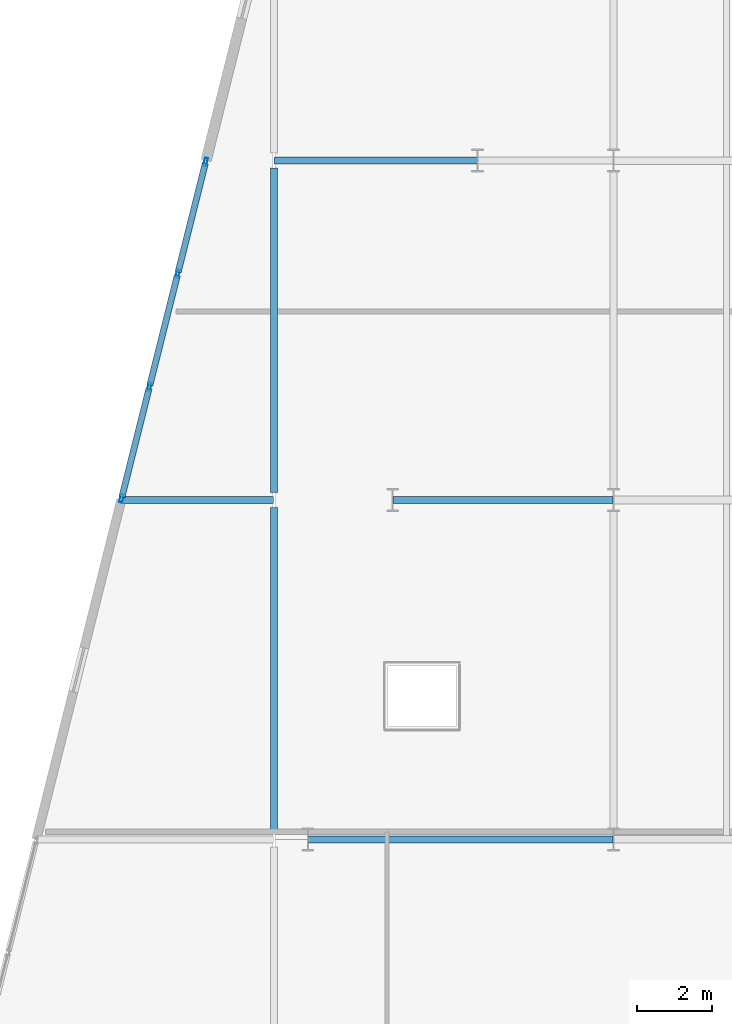
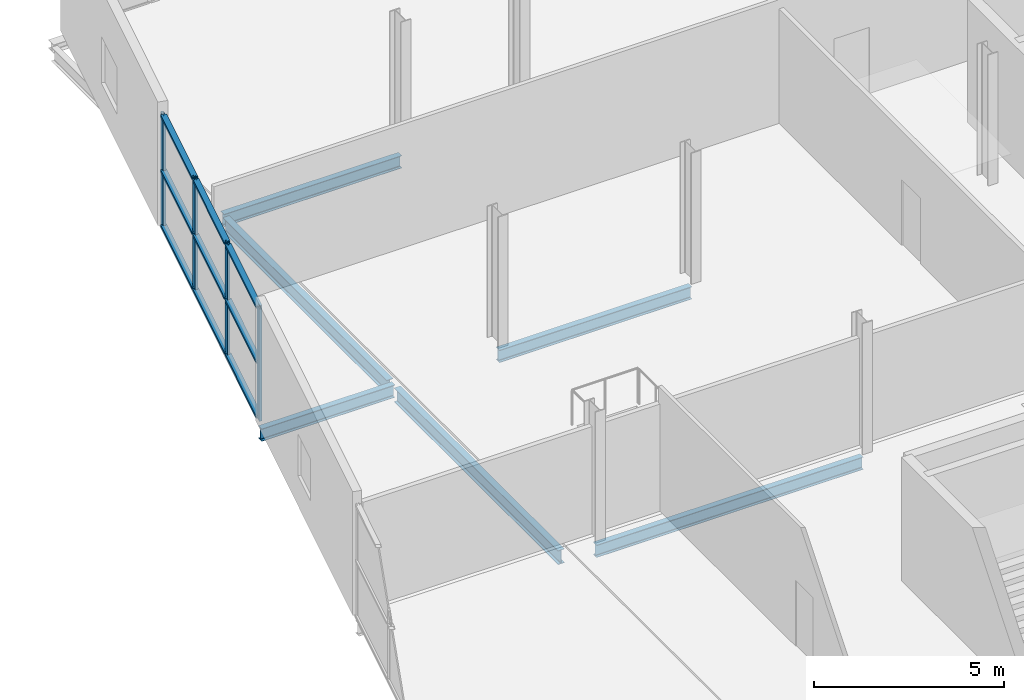
# One storey, part 17 of 59: 13 members, 6 beams, 1 element without a shape of its own.
"""IFC4 building model written with IfcOpenShell, lengths in metres."""

from ifc_helpers import new_model, si_unit, direction, frame, origin, origin_2d, place, context, subcontext, project, spatial, hollow_rectangle, i_section, extrude, material, layer, layer_set, material_profile, profile_set, type_object, element, aggregate, save


model = new_model("IFC4")

# Units and contexts
model_context = context("Model", 3, precision=1e-05, world=origin(), true_north=direction((0.0, 1.0)))
body_context = subcontext(model_context, "Body", "Model", "MODEL_VIEW")
ifc_project = project(units=[si_unit("LENGTHUNIT", "METRE"), si_unit("AREAUNIT", "SQUARE_METRE"), si_unit("VOLUMEUNIT", "CUBIC_METRE"), si_unit("PLANEANGLEUNIT", "RADIAN"), si_unit("MASSUNIT", "GRAM", prefix="KILO")], contexts=[model_context])

# Site, building, storey
site_placement = place(None, origin())
site = spatial("IfcSite", under=ifc_project, at=site_placement, CompositionType="ELEMENT")
building_placement = place(site_placement, origin())
building = spatial("IfcBuilding", under=site, at=building_placement, Name="Deido Ridge Mobility Hub", CompositionType="ELEMENT")
storey_placement = place(building_placement, frame((0.0, 0.0, 21.0)))
storey = spatial("IfcBuildingStorey", under=building, at=storey_placement, Name="L05", CompositionType="ELEMENT", Elevation=21.0)

# Beams
ifc_material_1 = material(Name="Steel S355J2 EN 10025-2", Category="steel")
ifc_material_profile_1 = material_profile(ifc_material_1, i_section(OverallWidth=0.179931640625, OverallDepth=0.39990234375, WebThickness=0.008544921875, FlangeThickness=0.013427734375, FilletRadius=0.02099609375, at=origin_2d()), Name="IPE 400")
ifc_profile_set_1 = profile_set([ifc_material_profile_1], Name="Steel S355J2 EN 10025-2")
beam_type_1 = type_object("IfcBeamType", Name="BM-IPE400", PredefinedType="BEAM", material=ifc_profile_set_1)
beam_1_placement = place(storey_placement, frame((139.95703125, 45.0, -0.445068359375), z_axis=(1.0, 0.0, 0.0), x_axis=(0.0, 1.0, 0.0)))
element("IfcBeam", 1, at=beam_1_placement, inside=storey, type_object=beam_type_1, Name="Floor beam B5", PredefinedType="BEAM", context=body_context, shape_type="SweptSolid", body=[
    extrude(i_section(OverallWidth=0.179931640625, OverallDepth=0.39990234375, WebThickness=0.008544921875, FlangeThickness=0.013427734375, FilletRadius=0.02099609375, at=origin_2d()), origin(), (0.0, 0.0, 1.0), 4.0341796875),
])
beam_2_placement = place(storey_placement, frame((147.15771484375, 45.0, -0.445068359375), z_axis=(1.0, 0.0, 0.0), x_axis=(0.0, 1.0, 0.0)))
element("IfcBeam", 2, at=beam_2_placement, inside=storey, type_object=beam_type_1, Name="Floor beam B5", PredefinedType="BEAM", context=body_context, shape_type="SweptSolid", body=[
    extrude(i_section(OverallWidth=0.179931640625, OverallDepth=0.39990234375, WebThickness=0.008544921875, FlangeThickness=0.013427734375, FilletRadius=0.02099609375, at=origin_2d()), origin(), (0.0, 0.0, 1.0), 5.83447265625),
])
beam_3_placement = place(storey_placement, frame((144.0087890625, 54.0, -0.445068359375), z_axis=(1.0, 0.0, 0.0), x_axis=(0.0, 1.0, 0.0)))
element("IfcBeam", 3, at=beam_3_placement, inside=storey, type_object=beam_type_1, Name="Floor beam B5", PredefinedType="BEAM", context=body_context, shape_type="SweptSolid", body=[
    extrude(i_section(OverallWidth=0.179931640625, OverallDepth=0.39990234375, WebThickness=0.008544921875, FlangeThickness=0.013427734375, FilletRadius=0.02099609375, at=origin_2d()), origin(), (0.0, 0.0, 1.0), 5.383544921875),
])
beam_4_placement = place(storey_placement, frame((144.90771484375, 36.0, -0.445068359375), z_axis=(1.0, 0.0, 0.0), x_axis=(0.0, 1.0, 0.0)))
element("IfcBeam", 4, at=beam_4_placement, inside=storey, type_object=beam_type_1, Name="Floor beam B5", PredefinedType="BEAM", context=body_context, shape_type="SweptSolid", body=[
    extrude(i_section(OverallWidth=0.179931640625, OverallDepth=0.39990234375, WebThickness=0.008544921875, FlangeThickness=0.013427734375, FilletRadius=0.02099609375, at=origin_2d()), origin(), (0.0, 0.0, 1.0), 8.08447265625),
])
ifc_material_profile_2 = material_profile(ifc_material_1, i_section(OverallWidth=0.18994140625, OverallDepth=0.449951171875, WebThickness=0.009521484375, FlangeThickness=0.0146484375, FilletRadius=0.02099609375, at=origin_2d()), Name="IPE 450")
ifc_profile_set_2 = profile_set([ifc_material_profile_2], Name="Steel S355J2 EN 10025-2")
beam_type_2 = type_object("IfcBeamType", Name="BM-IPE450", PredefinedType="BEAM", material=ifc_profile_set_2)
for number, where, z_axis, x_axis, name in (
    (5, (144.0, 36.196533203125, -0.469970703125), (0.0, 1.0, 0.0), (-1.0, 0.0, 0.0), "Floor beam B4"),
    (6, (144.0, 45.196533203125, -0.469970703125), (0.0, 1.0, 0.0), (-1.0, 0.0, 0.0), "Floor beam B4"),
):
    element("IfcBeam", number, at=place(storey_placement, frame(where, z_axis=z_axis, x_axis=x_axis)), inside=storey, type_object=beam_type_2, Name=name, PredefinedType="BEAM", context=body_context, shape_type="SweptSolid", body=[
        extrude(i_section(OverallWidth=0.18994140625, OverallDepth=0.449951171875, WebThickness=0.009521484375, FlangeThickness=0.0146484375, FilletRadius=0.02099609375, at=origin_2d()), origin(), (0.0, 0.0, 1.0), 8.60693359375),
    ])

# Curtain wall, members
ifc_material_2 = material(Name="Anodised aluminium EN AW-6063 T6", Category="aluminium")
ifc_layer = layer(ifc_material_2, 0.27001953125, Name="Anodised aluminium EN AW-6063 T6")
ifc_layer_set = layer_set([ifc_layer], Name="Anodised aluminium EN AW-6063 T6")
curtain_wall_type = type_object("IfcCurtainWallType", Name="CW-UF-8", PredefinedType="USERDEFINED", material=ifc_layer_set)
curtain_wall_placement = place(storey_placement, origin())
curtain_wall = element("IfcCurtainWall", 7, at=curtain_wall_placement, inside=storey, type_object=curtain_wall_type, Name="Unitised curtain wall CW8", ObjectType="UNITISED FACADE", PredefinedType="USERDEFINED")
ifc_material_profile_3 = material_profile(ifc_material_2, hollow_rectangle(XDim=0.080078125, YDim=0.219970703125, WallThickness=0.00390625, at=origin_2d()), Name="RHS 80x220x4")
ifc_profile_set_3 = profile_set([ifc_material_profile_3], Name="Anodised aluminium EN AW-6063 T6")
member_type_1 = type_object("IfcMemberType", Name="MEM-MUL-80X220", PredefinedType="MULLION", material=ifc_profile_set_3)
member_1_placement = place(storey_placement, frame((139.959716796875, 45.038818359375, 0.0), z_axis=(0.0, 0.0, 1.0), x_axis=(-0.970142500145, 0.242535625038, 0.0)))
member_1 = element("IfcMember", 8, at=member_1_placement, type_object=member_type_1, Name="CW8 mullion 1", PredefinedType="MULLION", context=body_context, shape_type="SweptSolid", body=[
    extrude(hollow_rectangle(XDim=0.080078125, YDim=0.219970703125, WallThickness=0.00390625, at=origin_2d()), origin(), (0.0, 0.0, 1.0), 3.60009765625),
])
member_2_placement = place(storey_placement, frame((140.699951171875, 48.0, 0.0), z_axis=(0.0, 0.0, 1.0), x_axis=(-0.970142500145, 0.242535625038, 0.0)))
member_2 = element("IfcMember", 9, at=member_2_placement, type_object=member_type_1, Name="CW8 mullion 2", PredefinedType="MULLION", context=body_context, shape_type="SweptSolid", body=[
    extrude(hollow_rectangle(XDim=0.080078125, YDim=0.219970703125, WallThickness=0.00390625, at=origin_2d()), origin(), (0.0, 0.0, 1.0), 3.60009765625),
])
member_3_placement = place(storey_placement, frame((141.449951171875, 51.0, 0.0), z_axis=(0.0, 0.0, 1.0), x_axis=(-0.970142500145, 0.242535625038, 0.0)))
member_3 = element("IfcMember", 10, at=member_3_placement, type_object=member_type_1, Name="CW8 mullion 3", PredefinedType="MULLION", context=body_context, shape_type="SweptSolid", body=[
    extrude(hollow_rectangle(XDim=0.080078125, YDim=0.219970703125, WallThickness=0.00390625, at=origin_2d()), origin(), (0.0, 0.0, 1.0), 3.60009765625),
])
member_4_placement = place(storey_placement, frame((142.190185546875, 53.961181640625, 0.0), z_axis=(0.0, 0.0, 1.0), x_axis=(-0.970142500145, 0.242535625038, 0.0)))
member_4 = element("IfcMember", 11, at=member_4_placement, type_object=member_type_1, Name="CW8 mullion 4", PredefinedType="MULLION", context=body_context, shape_type="SweptSolid", body=[
    extrude(hollow_rectangle(XDim=0.080078125, YDim=0.219970703125, WallThickness=0.00390625, at=origin_2d()), origin(), (0.0, 0.0, 1.0), 3.60009765625),
])
ifc_material_profile_4 = material_profile(ifc_material_2, hollow_rectangle(XDim=0.1650390625, YDim=0.080078125, WallThickness=0.00390625, at=origin_2d()), Name="RHS 165x80x4")
ifc_profile_set_4 = profile_set([ifc_material_profile_4], Name="Anodised aluminium EN AW-6063 T6")
member_type_2 = type_object("IfcMemberType", Name="MEM-TRN-165X80", PredefinedType="USERDEFINED", material=ifc_profile_set_4)
member_5_placement = place(storey_placement, frame((139.969482421875, 45.07763671875, 0.0400390625), z_axis=(0.24247764334, 0.970156993729, 0.0), x_axis=(-0.970156993729, 0.24247764334, 0.0)))
member_5 = element("IfcMember", 12, at=member_5_placement, type_object=member_type_2, Name="CW8 transom 1.1", ObjectType="TRANSOM", PredefinedType="USERDEFINED", context=body_context, shape_type="SweptSolid", body=[
    extrude(hollow_rectangle(XDim=0.1650390625, YDim=0.080078125, WallThickness=0.00390625, at=origin_2d()), origin(), (0.0, 0.0, 1.0), 2.97216796875),
])
member_6_placement = place(storey_placement, frame((139.969482421875, 45.07763671875, 1.800048828125), z_axis=(0.24247764334, 0.970156993729, 0.0), x_axis=(-0.970156993729, 0.24247764334, 0.0)))
member_6 = element("IfcMember", 13, at=member_6_placement, type_object=member_type_2, Name="CW8 transom 1.2", ObjectType="TRANSOM", PredefinedType="USERDEFINED", context=body_context, shape_type="SweptSolid", body=[
    extrude(hollow_rectangle(XDim=0.1650390625, YDim=0.080078125, WallThickness=0.00390625, at=origin_2d()), origin(), (0.0, 0.0, 1.0), 2.97216796875),
])
member_7_placement = place(storey_placement, frame((139.969482421875, 45.07763671875, 3.56005859375), z_axis=(0.24247764334, 0.970156993729, 0.0), x_axis=(-0.970156993729, 0.24247764334, 0.0)))
member_7 = element("IfcMember", 14, at=member_7_placement, type_object=member_type_2, Name="CW8 transom 1.3", ObjectType="TRANSOM", PredefinedType="USERDEFINED", context=body_context, shape_type="SweptSolid", body=[
    extrude(hollow_rectangle(XDim=0.1650390625, YDim=0.080078125, WallThickness=0.00390625, at=origin_2d()), origin(), (0.0, 0.0, 1.0), 2.97216796875),
])
member_8_placement = place(storey_placement, frame((140.709716796875, 48.038818359375, 0.0400390625), z_axis=(0.24249748432, 0.970152034528, 0.0), x_axis=(-0.970152034528, 0.24249748432, 0.0)))
member_8 = element("IfcMember", 15, at=member_8_placement, type_object=member_type_2, Name="CW8 transom 2.1", ObjectType="TRANSOM", PredefinedType="USERDEFINED", context=body_context, shape_type="SweptSolid", body=[
    extrude(hollow_rectangle(XDim=0.1650390625, YDim=0.080078125, WallThickness=0.00390625, at=origin_2d()), origin(), (0.0, 0.0, 1.0), 3.01220703125),
])
member_9_placement = place(storey_placement, frame((140.709716796875, 48.038818359375, 1.800048828125), z_axis=(0.24249748432, 0.970152034528, 0.0), x_axis=(-0.970152034528, 0.24249748432, 0.0)))
member_9 = element("IfcMember", 16, at=member_9_placement, type_object=member_type_2, Name="CW8 transom 2.2", ObjectType="TRANSOM", PredefinedType="USERDEFINED", context=body_context, shape_type="SweptSolid", body=[
    extrude(hollow_rectangle(XDim=0.1650390625, YDim=0.080078125, WallThickness=0.00390625, at=origin_2d()), origin(), (0.0, 0.0, 1.0), 3.01220703125),
])
member_10_placement = place(storey_placement, frame((140.709716796875, 48.038818359375, 3.56005859375), z_axis=(0.24249748432, 0.970152034528, 0.0), x_axis=(-0.970152034528, 0.24249748432, 0.0)))
member_10 = element("IfcMember", 17, at=member_10_placement, type_object=member_type_2, Name="CW8 transom 2.3", ObjectType="TRANSOM", PredefinedType="USERDEFINED", context=body_context, shape_type="SweptSolid", body=[
    extrude(hollow_rectangle(XDim=0.1650390625, YDim=0.080078125, WallThickness=0.00390625, at=origin_2d()), origin(), (0.0, 0.0, 1.0), 3.01220703125),
])
member_11_placement = place(storey_placement, frame((141.459716796875, 51.038818359375, 0.0400390625), z_axis=(0.242554951691, 0.970137668277, 0.0), x_axis=(-0.970137668277, 0.242554951691, 0.0)))
member_11 = element("IfcMember", 18, at=member_11_placement, type_object=member_type_2, Name="CW8 transom 3.1", ObjectType="TRANSOM", PredefinedType="USERDEFINED", context=body_context, shape_type="SweptSolid", body=[
    extrude(hollow_rectangle(XDim=0.1650390625, YDim=0.080078125, WallThickness=0.00390625, at=origin_2d()), origin(), (0.0, 0.0, 1.0), 2.972412109375),
])
member_12_placement = place(storey_placement, frame((141.459716796875, 51.038818359375, 1.800048828125), z_axis=(0.242554951691, 0.970137668277, 0.0), x_axis=(-0.970137668277, 0.242554951691, 0.0)))
member_12 = element("IfcMember", 19, at=member_12_placement, type_object=member_type_2, Name="CW8 transom 3.2", ObjectType="TRANSOM", PredefinedType="USERDEFINED", context=body_context, shape_type="SweptSolid", body=[
    extrude(hollow_rectangle(XDim=0.1650390625, YDim=0.080078125, WallThickness=0.00390625, at=origin_2d()), origin(), (0.0, 0.0, 1.0), 2.972412109375),
])
member_13_placement = place(storey_placement, frame((141.459716796875, 51.038818359375, 3.56005859375), z_axis=(0.242554951691, 0.970137668277, 0.0), x_axis=(-0.970137668277, 0.242554951691, 0.0)))
member_13 = element("IfcMember", 20, at=member_13_placement, type_object=member_type_2, Name="CW8 transom 3.3", ObjectType="TRANSOM", PredefinedType="USERDEFINED", context=body_context, shape_type="SweptSolid", body=[
    extrude(hollow_rectangle(XDim=0.1650390625, YDim=0.080078125, WallThickness=0.00390625, at=origin_2d()), origin(), (0.0, 0.0, 1.0), 2.972412109375),
])
aggregate(curtain_wall, [member_1, member_2, member_3, member_4, member_5, member_6, member_7, member_8, member_9, member_10, member_11, member_12, member_13])

save(model, "model.ifc")
